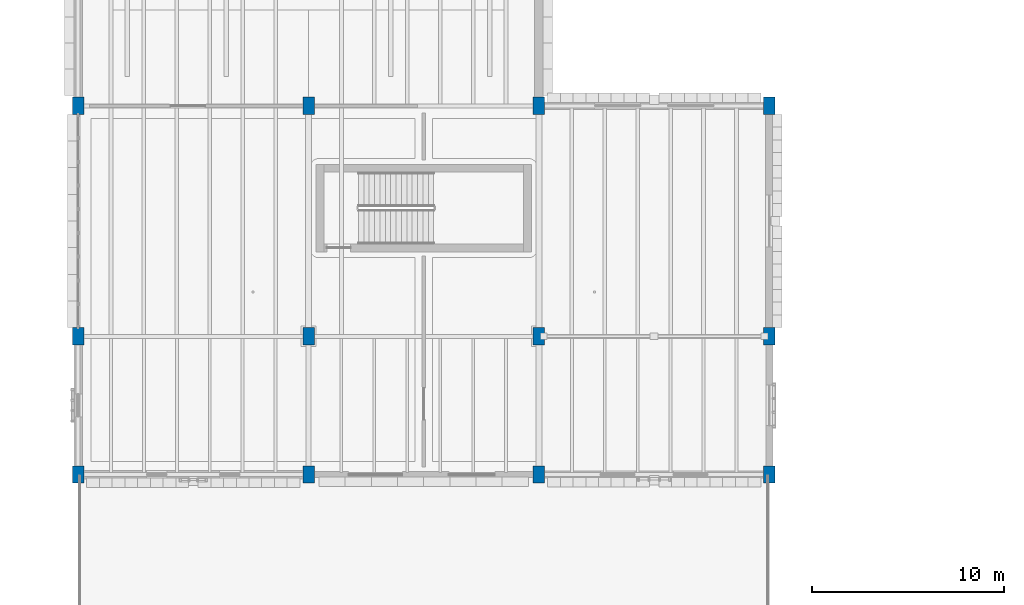
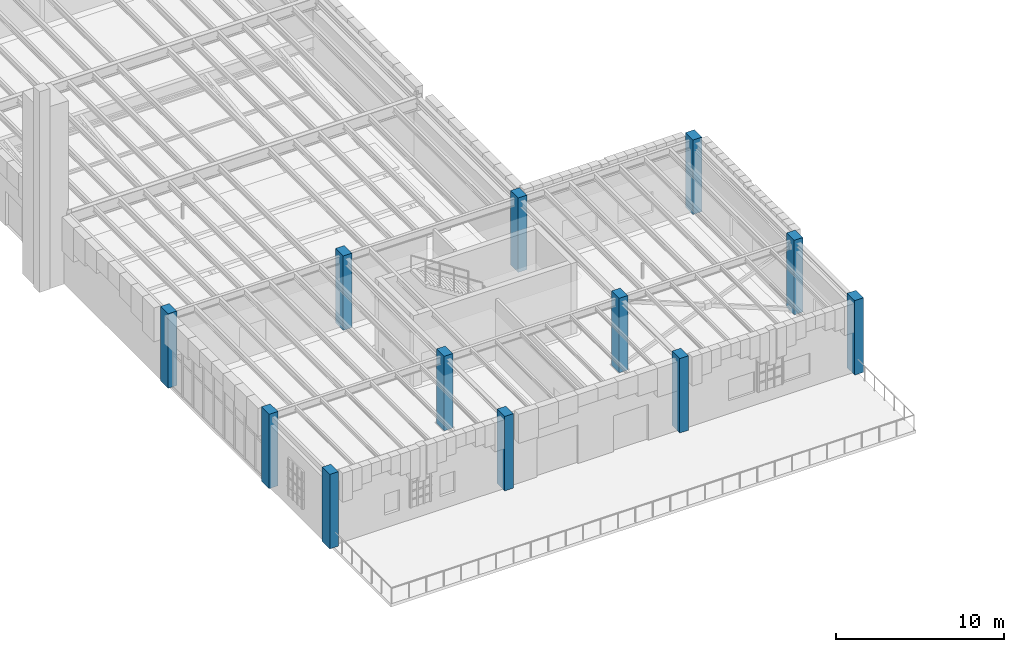
# One storey, part 1 of 103: 12 columns.
"""IFC4 building model written with IfcOpenShell, lengths in metres."""

from ifc_helpers import new_model, si_unit, direction, frame, origin, origin_2d, place, context, subcontext, project, spatial, rectangle, extrude, material, material_profile, profile_set, type_object, element, save


model = new_model("IFC4")

# Units and contexts
model_context = context("Model", 3, precision=1e-05, world=origin(), true_north=direction((0.0, 1.0)))
body_context = subcontext(model_context, "Body", "Model", "MODEL_VIEW")
ifc_project = project(units=[si_unit("LENGTHUNIT", "METRE"), si_unit("AREAUNIT", "SQUARE_METRE"), si_unit("VOLUMEUNIT", "CUBIC_METRE"), si_unit("PLANEANGLEUNIT", "RADIAN"), si_unit("MASSUNIT", "GRAM", prefix="KILO")], contexts=[model_context])

# Site, building, storey
site_placement = place(None, origin())
site = spatial("IfcSite", under=ifc_project, at=site_placement, CompositionType="ELEMENT")
building_placement = place(site_placement, origin())
building = spatial("IfcBuilding", under=site, at=building_placement, Name="Zlatogorsky Bluff Art Gallery", CompositionType="ELEMENT")
storey_placement = place(building_placement, origin())
storey = spatial("IfcBuildingStorey", under=building, at=storey_placement, Name="L00", CompositionType="ELEMENT", Elevation=0.0)

# Columns
ifc_material = material(Name="Concrete C35/45", Category="concrete")
ifc_material_profile = material_profile(ifc_material, rectangle(XDim=0.60009765625, YDim=0.89990234375, at=origin_2d()), Name="RC 600x900")
ifc_profile_set = profile_set([ifc_material_profile], Name="Concrete C35/45")
column_type = type_object("IfcColumnType", Name="Column CL-17 RC 600x900", PredefinedType="COLUMN", material=ifc_profile_set)
for number, where, z_axis, x_axis, name in (
    (1, (0.0, 7.199951171875, 0.0), (0.0, 0.0, 1.0), (1.0, 0.0, 0.0), "Column CL-17 L00 A2"),
    (2, (0.0, 14.39990234375, 0.0), (0.0, 0.0, 1.0), (1.0, 0.0, 0.0), "Column CL-17 L00 A3"),
    (3, (0.0, 26.39990234375, 0.0), (0.0, 0.0, 1.0), (1.0, 0.0, 0.0), "Column CL-17 L00 A4"),
    (4, (12.0, 7.199951171875, 0.0), (0.0, 0.0, 1.0), (1.0, 0.0, 0.0), "Column CL-17 L00 B2"),
    (5, (12.0, 14.39990234375, 0.0), (0.0, 0.0, 1.0), (1.0, 0.0, 0.0), "Column CL-17 L00 B3"),
    (6, (12.0, 26.39990234375, 0.0), (0.0, 0.0, 1.0), (1.0, 0.0, 0.0), "Column CL-17 L00 B4"),
    (7, (24.0, 7.199951171875, 0.0), (0.0, 0.0, 1.0), (1.0, 0.0, 0.0), "Column CL-17 L00 C2"),
    (8, (24.0, 14.39990234375, 0.0), (0.0, 0.0, 1.0), (1.0, 0.0, 0.0), "Column CL-17 L00 C3"),
    (9, (24.0, 26.39990234375, 0.0), (0.0, 0.0, 1.0), (1.0, 0.0, 0.0), "Column CL-17 L00 C4"),
    (10, (36.0, 7.199951171875, 0.0), (0.0, 0.0, 1.0), (1.0, 0.0, 0.0), "Column CL-17 L00 D2"),
    (11, (36.0, 14.39990234375, 0.0), (0.0, 0.0, 1.0), (1.0, 0.0, 0.0), "Column CL-17 L00 D3"),
    (12, (36.0, 26.39990234375, 0.0), (0.0, 0.0, 1.0), (1.0, 0.0, 0.0), "Column CL-17 L00 D4"),
):
    element("IfcColumn", number, at=place(storey_placement, frame(where, z_axis=z_axis, x_axis=x_axis)), inside=storey, type_object=column_type, Name=name, PredefinedType="COLUMN", context=body_context, shape_type="SweptSolid", body=[
        extrude(rectangle(XDim=0.60009765625, YDim=0.89990234375, at=origin_2d()), origin(), (0.0, 0.0, 1.0), 5.39990234375),
    ])

save(model, "model.ifc")
